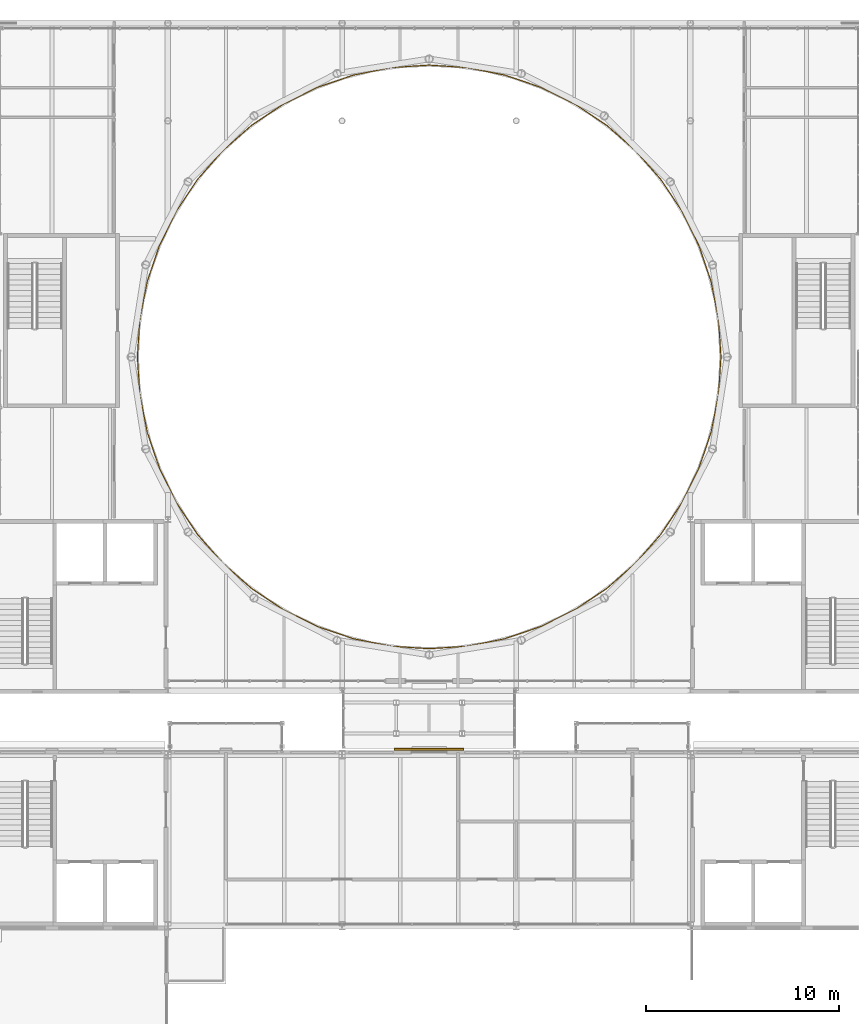
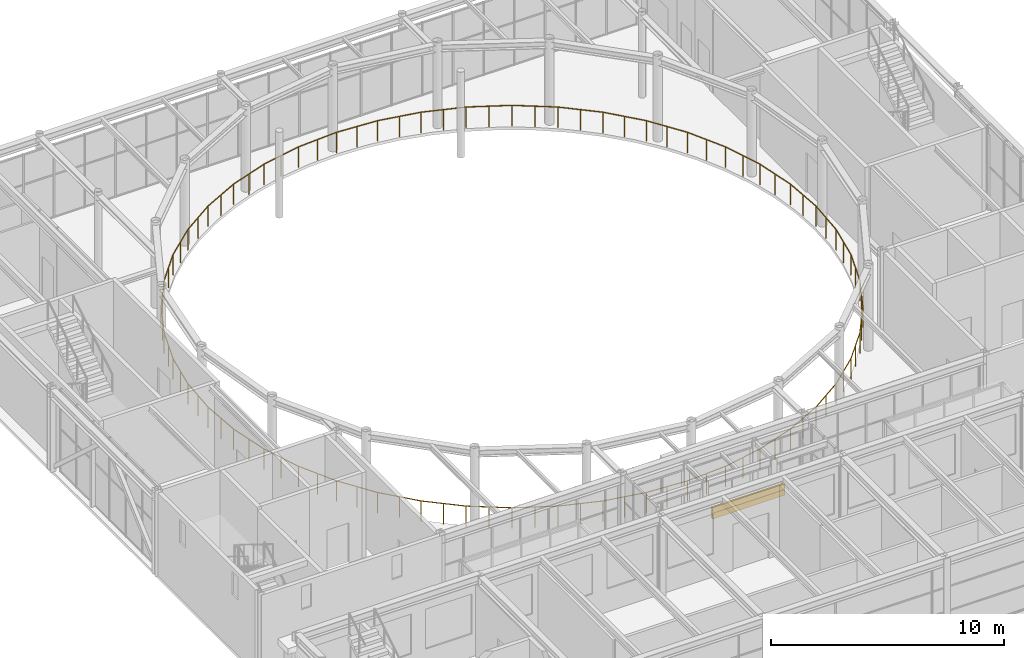
# One storey, part 67 of 70: 2 coverings, 1 railing.
"""IFC4 building model written with IfcOpenShell, lengths in metres."""

from ifc_helpers import new_model, si_unit, direction, frame, origin, origin_2d, place, context, subcontext, project, spatial, rectangle, circle, extrude, material, layer, layer_set, type_object, element, save


model = new_model("IFC4")

# Units and contexts
model_context = context("Model", 3, precision=1e-05, world=origin(), true_north=direction((0.0, 1.0)))
body_context = subcontext(model_context, "Body", "Model", "MODEL_VIEW")
ifc_project = project(units=[si_unit("LENGTHUNIT", "METRE"), si_unit("AREAUNIT", "SQUARE_METRE"), si_unit("VOLUMEUNIT", "CUBIC_METRE"), si_unit("PLANEANGLEUNIT", "RADIAN"), si_unit("MASSUNIT", "GRAM", prefix="KILO")], contexts=[model_context])

# Site, building, storey
site_placement = place(None, origin())
site = spatial("IfcSite", under=ifc_project, at=site_placement, CompositionType="ELEMENT")
building_placement = place(site_placement, origin())
building = spatial("IfcBuilding", under=site, at=building_placement, Name="Kallimachos Central Library", CompositionType="ELEMENT")
storey_placement = place(building_placement, frame((0.0, 0.0, 18.89990234375)))
storey = spatial("IfcBuildingStorey", under=building, at=storey_placement, Name="L04", CompositionType="ELEMENT", Elevation=18.89990234375)

# Coverings
ifc_material_1 = material(Name="Glazed ceramic frieze, green")
ifc_layer_1 = layer(ifc_material_1, 0.10009765625)
ifc_layer_set_1 = layer_set([ifc_layer_1], Name="Glazed ceramic frieze, green")
covering_type_1 = type_object("IfcCoveringType", Name="Glazed ceramic frieze, green", PredefinedType="CLADDING", material=ifc_layer_set_1)
covering_1_placement = place(storey_placement, frame((88.0, 84.115966796875, 3.18017578125), z_axis=(0.0, 0.0, 1.0), x_axis=(1.0, 0.0, 0.0)))
element("IfcCovering", 1, at=covering_1_placement, inside=storey, type_object=covering_type_1, Name="Glazed ceramic frieze, green -L04-017", PredefinedType="CLADDING", context=body_context, shape_type="SweptSolid", body=[
    extrude(rectangle(XDim=3.60009765625, YDim=0.10009765625, at=origin_2d()), origin(), (0.0, 0.0, 1.0), 0.300048828125),
])
ifc_material_2 = material(Name="Glazed ceramic frieze, ochre")
ifc_layer_2 = layer(ifc_material_2, 0.10009765625)
ifc_layer_set_2 = layer_set([ifc_layer_2], Name="Glazed ceramic frieze, ochre")
covering_type_2 = type_object("IfcCoveringType", Name="Glazed ceramic frieze, ochre", PredefinedType="CLADDING", material=ifc_layer_set_2)
covering_2_placement = place(storey_placement, frame((88.0, 84.115966796875, 2.8798828125), z_axis=(0.0, 0.0, 1.0), x_axis=(1.0, 0.0, 0.0)))
element("IfcCovering", 2, at=covering_2_placement, inside=storey, type_object=covering_type_2, Name="Glazed ceramic frieze, ochre -L04-017", PredefinedType="CLADDING", context=body_context, shape_type="SweptSolid", body=[
    extrude(rectangle(XDim=3.60009765625, YDim=0.10009765625, at=origin_2d()), origin(), (0.0, 0.0, 1.0), 0.300048828125),
])

# Railing
ifc_material_3 = material(Name="Wrought iron")
railing_type = type_object("IfcRailingType", Name="Wrought-iron style guard", PredefinedType="GUARDRAIL", material=ifc_material_3)
railing_placement = place(storey_placement, frame((103.080078125, 104.39990234375, 0.0)))
element("IfcRailing", 3, at=railing_placement, inside=storey, type_object=railing_type, Name="Gallery guard round the hall", PredefinedType="GUARDRAIL", context=body_context, shape_type="SweptSolid", body=[
    extrude(circle(Radius=0.02392578125, at=origin_2d()), frame((0.0, 0.0, 1.076171875), z_axis=(-0.065467584579, 0.997854696521, 0.0), x_axis=(-0.997854696521, -0.065467584579, 0.0)), (0.0, 0.0, 1.0), 1.97265625),
    extrude(circle(Radius=0.02392578125, at=origin_2d()), frame((-0.129150390625, 1.968505859375, 1.076171875), z_axis=(-0.195068700112, 0.98078958102, 0.0), x_axis=(-0.98078958102, -0.195068700112, 0.0)), (0.0, 0.0, 1.0), 1.972412109375),
    extrude(circle(Radius=0.02392578125, at=origin_2d()), frame((-0.513916015625, 3.903076171875, 1.076171875), z_axis=(-0.321421205461, 0.94693632768, 0.0), x_axis=(-0.94693632768, -0.321421205461, 0.0)), (0.0, 0.0, 1.0), 1.97265625),
    extrude(circle(Radius=0.02392578125, at=origin_2d()), frame((-1.14794921875, 5.77099609375, 1.076171875), z_axis=(-0.442355218257, 0.896839930467, 0.0), x_axis=(-0.896839930467, -0.442355218257, 0.0)), (0.0, 0.0, 1.0), 1.972412109375),
    extrude(circle(Radius=0.02392578125, at=origin_2d()), frame((-2.0205078125, 7.5400390625, 1.076171875), z_axis=(-0.555499713319, 0.831516727735, 0.0), x_axis=(-0.831516727735, -0.555499713319, 0.0)), (0.0, 0.0, 1.0), 1.972412109375),
    extrude(circle(Radius=0.02392578125, at=origin_2d()), frame((-3.1162109375, 9.18017578125, 1.076171875), z_axis=(-0.65937155714, 0.751817231536, 0.0), x_axis=(-0.751817231536, -0.65937155714, 0.0)), (0.0, 0.0, 1.0), 1.97265625),
    extrude(circle(Radius=0.02392578125, at=origin_2d()), frame((-4.4169921875, 10.663330078125, 1.076171875), z_axis=(-0.751824776477, 0.659362954279, 0.0), x_axis=(-0.659362954279, -0.751824776477, 0.0)), (0.0, 0.0, 1.0), 1.972412109375),
    extrude(circle(Radius=0.02392578125, at=origin_2d()), frame((-5.89990234375, 11.9638671875, 1.076171875), z_axis=(-0.831459554942, 0.555585284629, 0.0), x_axis=(-0.555585284629, -0.831459554942, 0.0)), (0.0, 0.0, 1.0), 1.97265625),
    extrude(circle(Radius=0.02392578125, at=origin_2d()), frame((-7.5400390625, 13.059814453125, 1.076171875), z_axis=(-0.896913235572, 0.442206566952, 0.0), x_axis=(-0.442206566952, -0.896913235572, 0.0)), (0.0, 0.0, 1.0), 1.97265625),
    extrude(circle(Radius=0.02392578125, at=origin_2d()), frame((-9.309326171875, 13.93212890625, 1.076171875), z_axis=(-0.946923538933, 0.321458879818, 0.0), x_axis=(-0.321458879818, -0.946923538933, 0.0)), (0.0, 0.0, 1.0), 1.972412109375),
    extrude(circle(Radius=0.02392578125, at=origin_2d()), frame((-11.177001953125, 14.566162109375, 1.076171875), z_axis=(-0.980770608273, 0.195164069306, 0.0), x_axis=(-0.195164069306, -0.980770608273, 0.0)), (0.0, 0.0, 1.0), 1.97265625),
    extrude(circle(Radius=0.02392578125, at=origin_2d()), frame((-13.11181640625, 14.951171875, 1.076171875), z_axis=(-0.997862245153, 0.065352426872, 0.0), x_axis=(-0.065352426872, -0.997862245153, 0.0)), (0.0, 0.0, 1.0), 1.972412109375),
    extrude(circle(Radius=0.02392578125, at=origin_2d()), frame((-15.080078125, 15.080078125, 1.076171875), z_axis=(-0.997862245153, -0.065352426872, 0.0), x_axis=(0.065352426872, -0.997862245153, 0.0)), (0.0, 0.0, 1.0), 1.972412109375),
    extrude(circle(Radius=0.02392578125, at=origin_2d()), frame((-17.04833984375, 14.951171875, 1.076171875), z_axis=(-0.980770608273, -0.195164069306, 0.0), x_axis=(0.195164069306, -0.980770608273, 0.0)), (0.0, 0.0, 1.0), 1.97265625),
    extrude(circle(Radius=0.02392578125, at=origin_2d()), frame((-18.983154296875, 14.566162109375, 1.076171875), z_axis=(-0.946923538933, -0.321458879818, 0.0), x_axis=(0.321458879818, -0.946923538933, 0.0)), (0.0, 0.0, 1.0), 1.972412109375),
    extrude(circle(Radius=0.02392578125, at=origin_2d()), frame((-20.850830078125, 13.93212890625, 1.076171875), z_axis=(-0.896913235572, -0.442206566952, 0.0), x_axis=(0.442206566952, -0.896913235572, 0.0)), (0.0, 0.0, 1.0), 1.97265625),
    extrude(circle(Radius=0.02392578125, at=origin_2d()), frame((-22.6201171875, 13.059814453125, 1.076171875), z_axis=(-0.831459554942, -0.555585284629, 0.0), x_axis=(0.555585284629, -0.831459554942, 0.0)), (0.0, 0.0, 1.0), 1.97265625),
    extrude(circle(Radius=0.02392578125, at=origin_2d()), frame((-24.26025390625, 11.9638671875, 1.076171875), z_axis=(-0.751824776477, -0.659362954279, 0.0), x_axis=(0.659362954279, -0.751824776477, 0.0)), (0.0, 0.0, 1.0), 1.972412109375),
    extrude(circle(Radius=0.02392578125, at=origin_2d()), frame((-25.7431640625, 10.663330078125, 1.076171875), z_axis=(-0.65937155714, -0.751817231536, 0.0), x_axis=(0.751817231536, -0.65937155714, 0.0)), (0.0, 0.0, 1.0), 1.97265625),
    extrude(circle(Radius=0.02392578125, at=origin_2d()), frame((-27.0439453125, 9.18017578125, 1.076171875), z_axis=(-0.555499713319, -0.831516727735, 0.0), x_axis=(0.831516727735, -0.555499713319, 0.0)), (0.0, 0.0, 1.0), 1.972412109375),
    extrude(circle(Radius=0.02392578125, at=origin_2d()), frame((-28.1396484375, 7.5400390625, 1.076171875), z_axis=(-0.442355218257, -0.896839930467, 0.0), x_axis=(0.896839930467, -0.442355218257, 0.0)), (0.0, 0.0, 1.0), 1.972412109375),
    extrude(circle(Radius=0.02392578125, at=origin_2d()), frame((-29.01220703125, 5.77099609375, 1.076171875), z_axis=(-0.321421205461, -0.94693632768, 0.0), x_axis=(0.94693632768, -0.321421205461, 0.0)), (0.0, 0.0, 1.0), 1.97265625),
    extrude(circle(Radius=0.02392578125, at=origin_2d()), frame((-29.646240234375, 3.903076171875, 1.076171875), z_axis=(-0.195068700112, -0.98078958102, 0.0), x_axis=(0.98078958102, -0.195068700112, 0.0)), (0.0, 0.0, 1.0), 1.972412109375),
    extrude(circle(Radius=0.02392578125, at=origin_2d()), frame((-30.031005859375, 1.968505859375, 1.076171875), z_axis=(-0.065467584579, -0.997854696521, 0.0), x_axis=(0.997854696521, -0.065467584579, 0.0)), (0.0, 0.0, 1.0), 1.97265625),
    extrude(circle(Radius=0.02392578125, at=origin_2d()), frame((-30.16015625, 0.0, 1.076171875), z_axis=(0.065475670282, -0.997854165999, 0.0), x_axis=(0.997854165999, 0.065475670282, 0.0)), (0.0, 0.0, 1.0), 1.972412109375),
    extrude(circle(Radius=0.02392578125, at=origin_2d()), frame((-30.031005859375, -1.96826171875, 1.076171875), z_axis=(0.195068700112, -0.98078958102, 0.0), x_axis=(0.98078958102, 0.195068700112, 0.0)), (0.0, 0.0, 1.0), 1.972412109375),
    extrude(circle(Radius=0.02392578125, at=origin_2d()), frame((-29.646240234375, -3.90283203125, 1.076171875), z_axis=(0.321421205461, -0.94693632768, 0.0), x_axis=(0.94693632768, 0.321421205461, 0.0)), (0.0, 0.0, 1.0), 1.97265625),
    extrude(circle(Radius=0.02392578125, at=origin_2d()), frame((-29.01220703125, -5.770751953125, 1.076171875), z_axis=(0.442355218257, -0.896839930467, 0.0), x_axis=(0.896839930467, 0.442355218257, 0.0)), (0.0, 0.0, 1.0), 1.972412109375),
    extrude(circle(Radius=0.02392578125, at=origin_2d()), frame((-28.1396484375, -7.539794921875, 1.076171875), z_axis=(0.555499713319, -0.831516727735, 0.0), x_axis=(0.831516727735, 0.555499713319, 0.0)), (0.0, 0.0, 1.0), 1.972412109375),
    extrude(circle(Radius=0.02392578125, at=origin_2d()), frame((-27.0439453125, -9.179931640625, 1.076171875), z_axis=(0.65937155714, -0.751817231536, 0.0), x_axis=(0.751817231536, 0.65937155714, 0.0)), (0.0, 0.0, 1.0), 1.97265625),
    extrude(circle(Radius=0.02392578125, at=origin_2d()), frame((-25.7431640625, -10.6630859375, 1.076171875), z_axis=(0.751824776477, -0.659362954279, 0.0), x_axis=(0.659362954279, 0.751824776477, 0.0)), (0.0, 0.0, 1.0), 1.972412109375),
    extrude(circle(Radius=0.02392578125, at=origin_2d()), frame((-24.26025390625, -11.963623046875, 1.076171875), z_axis=(0.831459554942, -0.555585284629, 0.0), x_axis=(0.555585284629, 0.831459554942, 0.0)), (0.0, 0.0, 1.0), 1.97265625),
    extrude(circle(Radius=0.02392578125, at=origin_2d()), frame((-22.6201171875, -13.0595703125, 1.076171875), z_axis=(0.896913235572, -0.442206566952, 0.0), x_axis=(0.442206566952, 0.896913235572, 0.0)), (0.0, 0.0, 1.0), 1.97265625),
    extrude(circle(Radius=0.02392578125, at=origin_2d()), frame((-20.850830078125, -13.931884765625, 1.076171875), z_axis=(0.94688585541, -0.321569863053, 0.0), x_axis=(0.321569863053, 0.94688585541, 0.0)), (0.0, 0.0, 1.0), 1.972412109375),
    extrude(circle(Radius=0.02392578125, at=origin_2d()), frame((-18.983154296875, -14.566162109375, 1.076171875), z_axis=(0.980794290006, -0.195045022215, 0.0), x_axis=(0.195045022215, 0.980794290006, 0.0)), (0.0, 0.0, 1.0), 1.97265625),
    extrude(circle(Radius=0.02392578125, at=origin_2d()), frame((-17.04833984375, -14.950927734375, 1.076171875), z_axis=(0.997862245153, -0.065352426872, 0.0), x_axis=(0.065352426872, 0.997862245153, 0.0)), (0.0, 0.0, 1.0), 1.972412109375),
    extrude(circle(Radius=0.02392578125, at=origin_2d()), frame((-15.080078125, -15.079833984375, 1.076171875), z_axis=(0.997862245153, 0.065352426872, 0.0), x_axis=(-0.065352426872, 0.997862245153, 0.0)), (0.0, 0.0, 1.0), 1.972412109375),
    extrude(circle(Radius=0.02392578125, at=origin_2d()), frame((-13.11181640625, -14.950927734375, 1.076171875), z_axis=(0.980794290006, 0.195045022215, 0.0), x_axis=(-0.195045022215, 0.980794290006, 0.0)), (0.0, 0.0, 1.0), 1.97265625),
    extrude(circle(Radius=0.02392578125, at=origin_2d()), frame((-11.177001953125, -14.566162109375, 1.076171875), z_axis=(0.94688585541, 0.321569863053, 0.0), x_axis=(-0.321569863053, 0.94688585541, 0.0)), (0.0, 0.0, 1.0), 1.972412109375),
    extrude(circle(Radius=0.02392578125, at=origin_2d()), frame((-9.309326171875, -13.931884765625, 1.076171875), z_axis=(0.896913235572, 0.442206566952, 0.0), x_axis=(-0.442206566952, 0.896913235572, 0.0)), (0.0, 0.0, 1.0), 1.97265625),
    extrude(circle(Radius=0.02392578125, at=origin_2d()), frame((-7.5400390625, -13.0595703125, 1.076171875), z_axis=(0.831459554942, 0.555585284629, 0.0), x_axis=(-0.555585284629, 0.831459554942, 0.0)), (0.0, 0.0, 1.0), 1.97265625),
    extrude(circle(Radius=0.02392578125, at=origin_2d()), frame((-5.89990234375, -11.963623046875, 1.076171875), z_axis=(0.751824776477, 0.659362954279, 0.0), x_axis=(-0.659362954279, 0.751824776477, 0.0)), (0.0, 0.0, 1.0), 1.972412109375),
    extrude(circle(Radius=0.02392578125, at=origin_2d()), frame((-4.4169921875, -10.6630859375, 1.076171875), z_axis=(0.65937155714, 0.751817231536, 0.0), x_axis=(-0.751817231536, 0.65937155714, 0.0)), (0.0, 0.0, 1.0), 1.97265625),
    extrude(circle(Radius=0.02392578125, at=origin_2d()), frame((-3.1162109375, -9.179931640625, 1.076171875), z_axis=(0.555499713319, 0.831516727735, 0.0), x_axis=(-0.831516727735, 0.555499713319, 0.0)), (0.0, 0.0, 1.0), 1.972412109375),
    extrude(circle(Radius=0.02392578125, at=origin_2d()), frame((-2.0205078125, -7.539794921875, 1.076171875), z_axis=(0.442355218257, 0.896839930467, 0.0), x_axis=(-0.896839930467, 0.442355218257, 0.0)), (0.0, 0.0, 1.0), 1.972412109375),
    extrude(circle(Radius=0.02392578125, at=origin_2d()), frame((-1.14794921875, -5.770751953125, 1.076171875), z_axis=(0.321421205461, 0.94693632768, 0.0), x_axis=(-0.94693632768, 0.321421205461, 0.0)), (0.0, 0.0, 1.0), 1.97265625),
    extrude(circle(Radius=0.02392578125, at=origin_2d()), frame((-0.513916015625, -3.90283203125, 1.076171875), z_axis=(0.195068700112, 0.98078958102, 0.0), x_axis=(-0.98078958102, 0.195068700112, 0.0)), (0.0, 0.0, 1.0), 1.972412109375),
    extrude(circle(Radius=0.02392578125, at=origin_2d()), frame((-0.129150390625, -1.96826171875, 1.076171875), z_axis=(0.065475670282, 0.997854165999, 0.0), x_axis=(-0.997854165999, 0.065475670282, 0.0)), (0.0, 0.0, 1.0), 1.972412109375),
    extrude(circle(Radius=0.02099609375, at=origin_2d()), origin(), (0.0, 0.0, 1.0), 1.052001953125),
    extrude(circle(Radius=0.02099609375, at=origin_2d()), frame((-0.064453125, 0.984375, 0.0)), (0.0, 0.0, 1.0), 1.052001953125),
    extrude(circle(Radius=0.02099609375, at=origin_2d()), frame((-0.129150390625, 1.968505859375, 0.0)), (0.0, 0.0, 1.0), 1.052001953125),
    extrude(circle(Radius=0.02099609375, at=origin_2d()), frame((-0.321533203125, 2.935791015625, 0.0)), (0.0, 0.0, 1.0), 1.052001953125),
    extrude(circle(Radius=0.02099609375, at=origin_2d()), frame((-0.513916015625, 3.903076171875, 0.0)), (0.0, 0.0, 1.0), 1.052001953125),
    extrude(circle(Radius=0.02099609375, at=origin_2d()), frame((-0.8310546875, 4.8369140625, 0.0)), (0.0, 0.0, 1.0), 1.052001953125),
    extrude(circle(Radius=0.02099609375, at=origin_2d()), frame((-1.14794921875, 5.77099609375, 0.0)), (0.0, 0.0, 1.0), 1.052001953125),
    extrude(circle(Radius=0.02099609375, at=origin_2d()), frame((-1.584228515625, 6.655517578125, 0.0)), (0.0, 0.0, 1.0), 1.052001953125),
    extrude(circle(Radius=0.02099609375, at=origin_2d()), frame((-2.0205078125, 7.5400390625, 0.0)), (0.0, 0.0, 1.0), 1.052001953125),
    extrude(circle(Radius=0.02099609375, at=origin_2d()), frame((-2.568359375, 8.360107421875, 0.0)), (0.0, 0.0, 1.0), 1.052001953125),
    extrude(circle(Radius=0.02099609375, at=origin_2d()), frame((-3.1162109375, 9.18017578125, 0.0)), (0.0, 0.0, 1.0), 1.052001953125),
    extrude(circle(Radius=0.02099609375, at=origin_2d()), frame((-3.7666015625, 9.921875, 0.0)), (0.0, 0.0, 1.0), 1.052001953125),
    extrude(circle(Radius=0.02099609375, at=origin_2d()), frame((-4.4169921875, 10.663330078125, 0.0)), (0.0, 0.0, 1.0), 1.052001953125),
    extrude(circle(Radius=0.02099609375, at=origin_2d()), frame((-5.158447265625, 11.3134765625, 0.0)), (0.0, 0.0, 1.0), 1.052001953125),
    extrude(circle(Radius=0.02099609375, at=origin_2d()), frame((-5.89990234375, 11.9638671875, 0.0)), (0.0, 0.0, 1.0), 1.052001953125),
    extrude(circle(Radius=0.02099609375, at=origin_2d()), frame((-6.719970703125, 12.51171875, 0.0)), (0.0, 0.0, 1.0), 1.052001953125),
    extrude(circle(Radius=0.02099609375, at=origin_2d()), frame((-7.5400390625, 13.059814453125, 0.0)), (0.0, 0.0, 1.0), 1.052001953125),
    extrude(circle(Radius=0.02099609375, at=origin_2d()), frame((-8.4248046875, 13.49609375, 0.0)), (0.0, 0.0, 1.0), 1.052001953125),
    extrude(circle(Radius=0.02099609375, at=origin_2d()), frame((-9.309326171875, 13.93212890625, 0.0)), (0.0, 0.0, 1.0), 1.052001953125),
    extrude(circle(Radius=0.02099609375, at=origin_2d()), frame((-10.2431640625, 14.2490234375, 0.0)), (0.0, 0.0, 1.0), 1.052001953125),
    extrude(circle(Radius=0.02099609375, at=origin_2d()), frame((-11.177001953125, 14.566162109375, 0.0)), (0.0, 0.0, 1.0), 1.052001953125),
    extrude(circle(Radius=0.02099609375, at=origin_2d()), frame((-12.14453125, 14.7587890625, 0.0)), (0.0, 0.0, 1.0), 1.052001953125),
    extrude(circle(Radius=0.02099609375, at=origin_2d()), frame((-13.11181640625, 14.951171875, 0.0)), (0.0, 0.0, 1.0), 1.052001953125),
    extrude(circle(Radius=0.02099609375, at=origin_2d()), frame((-14.095947265625, 15.015625, 0.0)), (0.0, 0.0, 1.0), 1.052001953125),
    extrude(circle(Radius=0.02099609375, at=origin_2d()), frame((-15.080078125, 15.080078125, 0.0)), (0.0, 0.0, 1.0), 1.052001953125),
    extrude(circle(Radius=0.02099609375, at=origin_2d()), frame((-16.064208984375, 15.015625, 0.0)), (0.0, 0.0, 1.0), 1.052001953125),
    extrude(circle(Radius=0.02099609375, at=origin_2d()), frame((-17.04833984375, 14.951171875, 0.0)), (0.0, 0.0, 1.0), 1.052001953125),
    extrude(circle(Radius=0.02099609375, at=origin_2d()), frame((-18.015625, 14.7587890625, 0.0)), (0.0, 0.0, 1.0), 1.052001953125),
    extrude(circle(Radius=0.02099609375, at=origin_2d()), frame((-18.983154296875, 14.566162109375, 0.0)), (0.0, 0.0, 1.0), 1.052001953125),
    extrude(circle(Radius=0.02099609375, at=origin_2d()), frame((-19.9169921875, 14.2490234375, 0.0)), (0.0, 0.0, 1.0), 1.052001953125),
    extrude(circle(Radius=0.02099609375, at=origin_2d()), frame((-20.850830078125, 13.93212890625, 0.0)), (0.0, 0.0, 1.0), 1.052001953125),
    extrude(circle(Radius=0.02099609375, at=origin_2d()), frame((-21.7353515625, 13.49609375, 0.0)), (0.0, 0.0, 1.0), 1.052001953125),
    extrude(circle(Radius=0.02099609375, at=origin_2d()), frame((-22.6201171875, 13.059814453125, 0.0)), (0.0, 0.0, 1.0), 1.052001953125),
    extrude(circle(Radius=0.02099609375, at=origin_2d()), frame((-23.440185546875, 12.51171875, 0.0)), (0.0, 0.0, 1.0), 1.052001953125),
    extrude(circle(Radius=0.02099609375, at=origin_2d()), frame((-24.26025390625, 11.9638671875, 0.0)), (0.0, 0.0, 1.0), 1.052001953125),
    extrude(circle(Radius=0.02099609375, at=origin_2d()), frame((-25.001708984375, 11.3134765625, 0.0)), (0.0, 0.0, 1.0), 1.052001953125),
    extrude(circle(Radius=0.02099609375, at=origin_2d()), frame((-25.7431640625, 10.663330078125, 0.0)), (0.0, 0.0, 1.0), 1.052001953125),
    extrude(circle(Radius=0.02099609375, at=origin_2d()), frame((-26.3935546875, 9.921875, 0.0)), (0.0, 0.0, 1.0), 1.052001953125),
    extrude(circle(Radius=0.02099609375, at=origin_2d()), frame((-27.0439453125, 9.18017578125, 0.0)), (0.0, 0.0, 1.0), 1.052001953125),
    extrude(circle(Radius=0.02099609375, at=origin_2d()), frame((-27.591796875, 8.360107421875, 0.0)), (0.0, 0.0, 1.0), 1.052001953125),
    extrude(circle(Radius=0.02099609375, at=origin_2d()), frame((-28.1396484375, 7.5400390625, 0.0)), (0.0, 0.0, 1.0), 1.052001953125),
    extrude(circle(Radius=0.02099609375, at=origin_2d()), frame((-28.575927734375, 6.655517578125, 0.0)), (0.0, 0.0, 1.0), 1.052001953125),
    extrude(circle(Radius=0.02099609375, at=origin_2d()), frame((-29.01220703125, 5.77099609375, 0.0)), (0.0, 0.0, 1.0), 1.052001953125),
    extrude(circle(Radius=0.02099609375, at=origin_2d()), frame((-29.3291015625, 4.8369140625, 0.0)), (0.0, 0.0, 1.0), 1.052001953125),
    extrude(circle(Radius=0.02099609375, at=origin_2d()), frame((-29.646240234375, 3.903076171875, 0.0)), (0.0, 0.0, 1.0), 1.052001953125),
    extrude(circle(Radius=0.02099609375, at=origin_2d()), frame((-29.838623046875, 2.935791015625, 0.0)), (0.0, 0.0, 1.0), 1.052001953125),
    extrude(circle(Radius=0.02099609375, at=origin_2d()), frame((-30.031005859375, 1.968505859375, 0.0)), (0.0, 0.0, 1.0), 1.052001953125),
    extrude(circle(Radius=0.02099609375, at=origin_2d()), frame((-30.095703125, 0.984375, 0.0)), (0.0, 0.0, 1.0), 1.052001953125),
    extrude(circle(Radius=0.02099609375, at=origin_2d()), frame((-30.16015625, 0.0, 0.0)), (0.0, 0.0, 1.0), 1.052001953125),
    extrude(circle(Radius=0.02099609375, at=origin_2d()), frame((-30.095703125, -0.984130859375, 0.0)), (0.0, 0.0, 1.0), 1.052001953125),
    extrude(circle(Radius=0.02099609375, at=origin_2d()), frame((-30.031005859375, -1.96826171875, 0.0)), (0.0, 0.0, 1.0), 1.052001953125),
    extrude(circle(Radius=0.02099609375, at=origin_2d()), frame((-29.838623046875, -2.935546875, 0.0)), (0.0, 0.0, 1.0), 1.052001953125),
    extrude(circle(Radius=0.02099609375, at=origin_2d()), frame((-29.646240234375, -3.90283203125, 0.0)), (0.0, 0.0, 1.0), 1.052001953125),
    extrude(circle(Radius=0.02099609375, at=origin_2d()), frame((-29.3291015625, -4.8369140625, 0.0)), (0.0, 0.0, 1.0), 1.052001953125),
    extrude(circle(Radius=0.02099609375, at=origin_2d()), frame((-29.01220703125, -5.770751953125, 0.0)), (0.0, 0.0, 1.0), 1.052001953125),
    extrude(circle(Radius=0.02099609375, at=origin_2d()), frame((-28.575927734375, -6.6552734375, 0.0)), (0.0, 0.0, 1.0), 1.052001953125),
    extrude(circle(Radius=0.02099609375, at=origin_2d()), frame((-28.1396484375, -7.539794921875, 0.0)), (0.0, 0.0, 1.0), 1.052001953125),
    extrude(circle(Radius=0.02099609375, at=origin_2d()), frame((-27.591796875, -8.35986328125, 0.0)), (0.0, 0.0, 1.0), 1.052001953125),
    extrude(circle(Radius=0.02099609375, at=origin_2d()), frame((-27.0439453125, -9.179931640625, 0.0)), (0.0, 0.0, 1.0), 1.052001953125),
    extrude(circle(Radius=0.02099609375, at=origin_2d()), frame((-26.3935546875, -9.92138671875, 0.0)), (0.0, 0.0, 1.0), 1.052001953125),
    extrude(circle(Radius=0.02099609375, at=origin_2d()), frame((-25.7431640625, -10.6630859375, 0.0)), (0.0, 0.0, 1.0), 1.052001953125),
    extrude(circle(Radius=0.02099609375, at=origin_2d()), frame((-25.001708984375, -11.3134765625, 0.0)), (0.0, 0.0, 1.0), 1.052001953125),
    extrude(circle(Radius=0.02099609375, at=origin_2d()), frame((-24.26025390625, -11.963623046875, 0.0)), (0.0, 0.0, 1.0), 1.052001953125),
    extrude(circle(Radius=0.02099609375, at=origin_2d()), frame((-23.440185546875, -12.51171875, 0.0)), (0.0, 0.0, 1.0), 1.052001953125),
    extrude(circle(Radius=0.02099609375, at=origin_2d()), frame((-22.6201171875, -13.0595703125, 0.0)), (0.0, 0.0, 1.0), 1.052001953125),
    extrude(circle(Radius=0.02099609375, at=origin_2d()), frame((-21.7353515625, -13.49560546875, 0.0)), (0.0, 0.0, 1.0), 1.052001953125),
    extrude(circle(Radius=0.02099609375, at=origin_2d()), frame((-20.850830078125, -13.931884765625, 0.0)), (0.0, 0.0, 1.0), 1.052001953125),
    extrude(circle(Radius=0.02099609375, at=origin_2d()), frame((-19.9169921875, -14.2490234375, 0.0)), (0.0, 0.0, 1.0), 1.052001953125),
    extrude(circle(Radius=0.02099609375, at=origin_2d()), frame((-18.983154296875, -14.566162109375, 0.0)), (0.0, 0.0, 1.0), 1.052001953125),
    extrude(circle(Radius=0.02099609375, at=origin_2d()), frame((-18.015625, -14.758544921875, 0.0)), (0.0, 0.0, 1.0), 1.052001953125),
    extrude(circle(Radius=0.02099609375, at=origin_2d()), frame((-17.04833984375, -14.950927734375, 0.0)), (0.0, 0.0, 1.0), 1.052001953125),
    extrude(circle(Radius=0.02099609375, at=origin_2d()), frame((-16.064208984375, -15.015380859375, 0.0)), (0.0, 0.0, 1.0), 1.052001953125),
    extrude(circle(Radius=0.02099609375, at=origin_2d()), frame((-15.080078125, -15.079833984375, 0.0)), (0.0, 0.0, 1.0), 1.052001953125),
    extrude(circle(Radius=0.02099609375, at=origin_2d()), frame((-14.095947265625, -15.015380859375, 0.0)), (0.0, 0.0, 1.0), 1.052001953125),
    extrude(circle(Radius=0.02099609375, at=origin_2d()), frame((-13.11181640625, -14.950927734375, 0.0)), (0.0, 0.0, 1.0), 1.052001953125),
    extrude(circle(Radius=0.02099609375, at=origin_2d()), frame((-12.14453125, -14.758544921875, 0.0)), (0.0, 0.0, 1.0), 1.052001953125),
    extrude(circle(Radius=0.02099609375, at=origin_2d()), frame((-11.177001953125, -14.566162109375, 0.0)), (0.0, 0.0, 1.0), 1.052001953125),
    extrude(circle(Radius=0.02099609375, at=origin_2d()), frame((-10.2431640625, -14.2490234375, 0.0)), (0.0, 0.0, 1.0), 1.052001953125),
    extrude(circle(Radius=0.02099609375, at=origin_2d()), frame((-9.309326171875, -13.931884765625, 0.0)), (0.0, 0.0, 1.0), 1.052001953125),
    extrude(circle(Radius=0.02099609375, at=origin_2d()), frame((-8.4248046875, -13.49560546875, 0.0)), (0.0, 0.0, 1.0), 1.052001953125),
    extrude(circle(Radius=0.02099609375, at=origin_2d()), frame((-7.5400390625, -13.0595703125, 0.0)), (0.0, 0.0, 1.0), 1.052001953125),
    extrude(circle(Radius=0.02099609375, at=origin_2d()), frame((-6.719970703125, -12.51171875, 0.0)), (0.0, 0.0, 1.0), 1.052001953125),
    extrude(circle(Radius=0.02099609375, at=origin_2d()), frame((-5.89990234375, -11.963623046875, 0.0)), (0.0, 0.0, 1.0), 1.052001953125),
    extrude(circle(Radius=0.02099609375, at=origin_2d()), frame((-5.158447265625, -11.3134765625, 0.0)), (0.0, 0.0, 1.0), 1.052001953125),
    extrude(circle(Radius=0.02099609375, at=origin_2d()), frame((-4.4169921875, -10.6630859375, 0.0)), (0.0, 0.0, 1.0), 1.052001953125),
    extrude(circle(Radius=0.02099609375, at=origin_2d()), frame((-3.7666015625, -9.92138671875, 0.0)), (0.0, 0.0, 1.0), 1.052001953125),
    extrude(circle(Radius=0.02099609375, at=origin_2d()), frame((-3.1162109375, -9.179931640625, 0.0)), (0.0, 0.0, 1.0), 1.052001953125),
    extrude(circle(Radius=0.02099609375, at=origin_2d()), frame((-2.568359375, -8.35986328125, 0.0)), (0.0, 0.0, 1.0), 1.052001953125),
    extrude(circle(Radius=0.02099609375, at=origin_2d()), frame((-2.0205078125, -7.539794921875, 0.0)), (0.0, 0.0, 1.0), 1.052001953125),
    extrude(circle(Radius=0.02099609375, at=origin_2d()), frame((-1.584228515625, -6.6552734375, 0.0)), (0.0, 0.0, 1.0), 1.052001953125),
    extrude(circle(Radius=0.02099609375, at=origin_2d()), frame((-1.14794921875, -5.770751953125, 0.0)), (0.0, 0.0, 1.0), 1.052001953125),
    extrude(circle(Radius=0.02099609375, at=origin_2d()), frame((-0.8310546875, -4.8369140625, 0.0)), (0.0, 0.0, 1.0), 1.052001953125),
    extrude(circle(Radius=0.02099609375, at=origin_2d()), frame((-0.513916015625, -3.90283203125, 0.0)), (0.0, 0.0, 1.0), 1.052001953125),
    extrude(circle(Radius=0.02099609375, at=origin_2d()), frame((-0.321533203125, -2.935546875, 0.0)), (0.0, 0.0, 1.0), 1.052001953125),
    extrude(circle(Radius=0.02099609375, at=origin_2d()), frame((-0.129150390625, -1.96826171875, 0.0)), (0.0, 0.0, 1.0), 1.052001953125),
    extrude(circle(Radius=0.02099609375, at=origin_2d()), frame((-0.064453125, -0.984130859375, 0.0)), (0.0, 0.0, 1.0), 1.052001953125),
])

save(model, "model.ifc")
